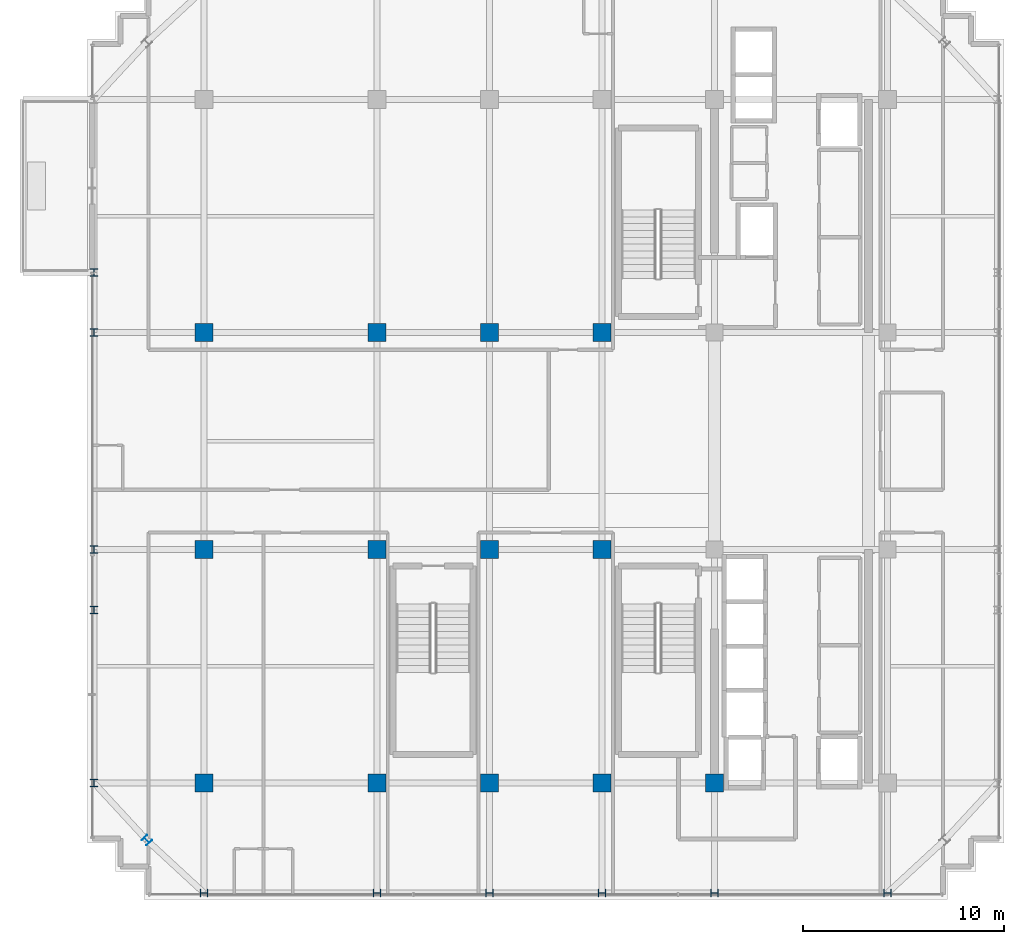
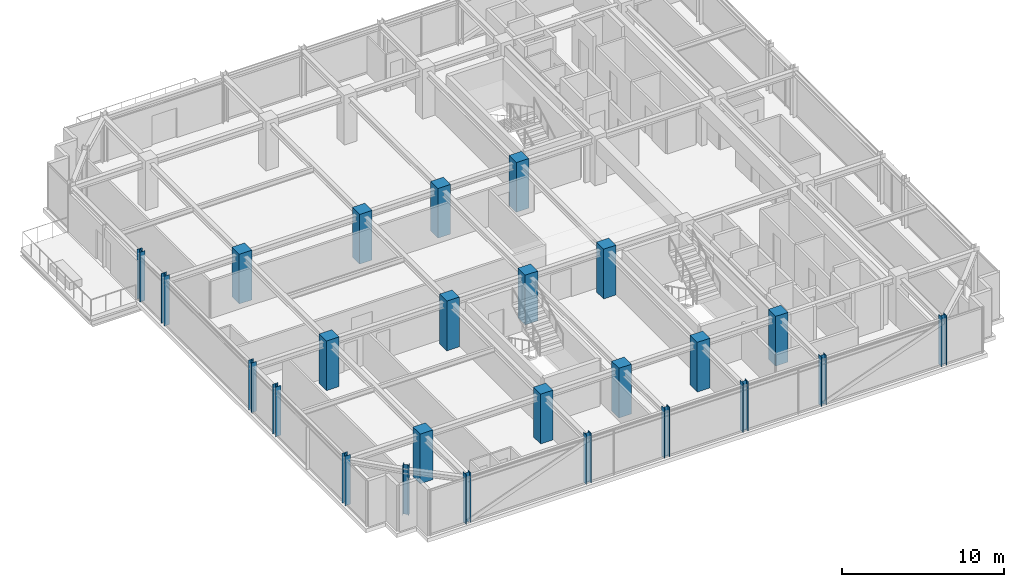
# One storey, part 1 of 34: 25 columns.
"""IFC4 building model written with IfcOpenShell, lengths in metres."""

from ifc_helpers import new_model, si_unit, direction, frame, origin, origin_2d, place, context, subcontext, project, spatial, rectangle, i_section, extrude, source, transform, mapped, material, material_profile, profile_set, type_object, element, save


model = new_model("IFC4")

# Units and contexts
model_context = context("Model", 3, precision=1e-05, world=origin(), true_north=direction((0.0, 1.0)))
body_context = subcontext(model_context, "Body", "Model", "MODEL_VIEW")
ifc_project = project(units=[si_unit("LENGTHUNIT", "METRE"), si_unit("AREAUNIT", "SQUARE_METRE"), si_unit("VOLUMEUNIT", "CUBIC_METRE"), si_unit("PLANEANGLEUNIT", "RADIAN"), si_unit("MASSUNIT", "GRAM", prefix="KILO")], contexts=[model_context])

# Site, building, storey
site_placement = place(None, origin())
site = spatial("IfcSite", under=ifc_project, at=site_placement, CompositionType="ELEMENT")
building_placement = place(site_placement, origin())
building = spatial("IfcBuilding", under=site, at=building_placement, Name="Nahalor Promenade Grand Hotel", CompositionType="ELEMENT")
storey_placement = place(building_placement, frame((0.0, 0.0, 334.75)))
storey = spatial("IfcBuildingStorey", under=building, at=storey_placement, Name="L86", CompositionType="ELEMENT", Elevation=334.75)

# Columns
ifc_material_1 = material(Name="Concrete B-50 (C40/50)", Category="concrete")
ifc_material_profile_1 = material_profile(ifc_material_1, rectangle(XDim=0.9, YDim=0.9, at=origin_2d()), Name="RC 900x900")
ifc_profile_set_1 = profile_set([ifc_material_profile_1], Name="Concrete B-50 (C40/50)")
column_type_1 = type_object("IfcColumnType", Name="Col-RC-900", PredefinedType="COLUMN", material=ifc_profile_set_1)
shared_shape_1 = source(origin(), body_context, "Body", "SweptSolid", [
    extrude(rectangle(XDim=0.9, YDim=0.9, at=origin_2d()), origin(), (0.0, 0.0, 1.0), 3.7548828125),
])
for number, where, z_axis, x_axis, name in (
    (1, (-17.0, -17.0, 0.0), (0.0, 0.0, 1.0), (1.0, 0.0, 0.0), "COL-L86-I00"),
    (2, (-17.0, -5.39990234375, 0.0), (0.0, 0.0, 1.0), (1.0, 0.0, 0.0), "COL-L86-I01"),
    (3, (-17.0, 5.39990234375, 0.0), (0.0, 0.0, 1.0), (1.0, 0.0, 0.0), "COL-L86-I02"),
    (4, (-8.39990234375, -17.0, 0.0), (0.0, 0.0, 1.0), (1.0, 0.0, 0.0), "COL-L86-I10"),
    (5, (-8.39990234375, -5.39990234375, 0.0), (0.0, 0.0, 1.0), (1.0, 0.0, 0.0), "COL-L86-I11"),
    (6, (-8.39990234375, 5.39990234375, 0.0), (0.0, 0.0, 1.0), (1.0, 0.0, 0.0), "COL-L86-I12"),
    (7, (-2.800048828125, -17.0, 0.0), (0.0, 0.0, 1.0), (1.0, 0.0, 0.0), "COL-L86-I20"),
    (8, (-2.800048828125, -5.39990234375, 0.0), (0.0, 0.0, 1.0), (1.0, 0.0, 0.0), "COL-L86-I21"),
    (9, (-2.800048828125, 5.39990234375, 0.0), (0.0, 0.0, 1.0), (1.0, 0.0, 0.0), "COL-L86-I22"),
    (10, (2.800048828125, -17.0, 0.0), (0.0, 0.0, 1.0), (1.0, 0.0, 0.0), "COL-L86-I30"),
    (11, (2.800048828125, -5.39990234375, 0.0), (0.0, 0.0, 1.0), (1.0, 0.0, 0.0), "COL-L86-I31"),
    (12, (2.800048828125, 5.39990234375, 0.0), (0.0, 0.0, 1.0), (1.0, 0.0, 0.0), "COL-L86-I32"),
    (13, (8.39990234375, -17.0, 0.0), (0.0, 0.0, 1.0), (1.0, 0.0, 0.0), "COL-L86-I40"),
):
    element("IfcColumn", number, at=place(storey_placement, frame(where, z_axis=z_axis, x_axis=x_axis)), inside=storey, type_object=column_type_1, Name=name, PredefinedType="COLUMN", context=body_context, shape_type="MappedRepresentation", body=[
        mapped(shared_shape_1, transform((0.0, 0.0, 0.0), scale=1.0)),
    ])
ifc_material_2 = material(Name="Steel S355JR", Category="steel")
ifc_material_profile_2 = material_profile(ifc_material_2, i_section(OverallWidth=0.374, OverallDepth=0.374, WebThickness=0.0144, FlangeThickness=0.0229, at=origin_2d()), Name="HD 360x262")
ifc_profile_set_2 = profile_set([ifc_material_profile_2], Name="Steel S355JR")
column_type_2 = type_object("IfcColumnType", Name="Col-Steel-HD262", PredefinedType="COLUMN", material=ifc_profile_set_2)
shared_shape_2 = source(origin(), body_context, "Body", "SweptSolid", [
    extrude(i_section(OverallWidth=0.374, OverallDepth=0.374, WebThickness=0.0144, FlangeThickness=0.0229, at=origin_2d()), origin(), (0.0, 0.0, 1.0), 3.7548828125),
])
for number, where, z_axis, x_axis, name in (
    (14, (-22.47998046875, -17.0, 0.0), (0.0, 0.0, 1.0), (1.0, 0.0, 0.0), "COL-L86-PW-W0"),
    (15, (-22.47998046875, -8.39990234375, 0.0), (0.0, 0.0, 1.0), (1.0, 0.0, 0.0), "COL-L86-PW-W1"),
    (16, (-22.47998046875, -5.39990234375, 0.0), (0.0, 0.0, 1.0), (1.0, 0.0, 0.0), "COL-L86-PW-W2"),
    (17, (-22.47998046875, 5.39990234375, 0.0), (0.0, 0.0, 1.0), (1.0, 0.0, 0.0), "COL-L86-PW-W3"),
    (18, (-22.47998046875, 8.39990234375, 0.0), (0.0, 0.0, 1.0), (1.0, 0.0, 0.0), "COL-L86-PW-W4"),
    (19, (-17.0, -22.47998046875, 0.0), (0.0, 0.0, 1.0), (0.0, 1.0, 0.0), "COL-L86-PN-S0"),
    (20, (-8.39990234375, -22.47998046875, 0.0), (0.0, 0.0, 1.0), (0.0, 1.0, 0.0), "COL-L86-PN-S1"),
    (21, (-2.800048828125, -22.47998046875, 0.0), (0.0, 0.0, 1.0), (0.0, 1.0, 0.0), "COL-L86-PN-S2"),
    (22, (2.800048828125, -22.47998046875, 0.0), (0.0, 0.0, 1.0), (0.0, 1.0, 0.0), "COL-L86-PN-S3"),
    (23, (8.39990234375, -22.47998046875, 0.0), (0.0, 0.0, 1.0), (0.0, 1.0, 0.0), "COL-L86-PN-S4"),
    (24, (17.0, -22.47998046875, 0.0), (0.0, 0.0, 1.0), (0.0, 1.0, 0.0), "COL-L86-PN-S5"),
    (25, (-19.85009765625, -19.85009765625, 0.0), (0.0, 0.0, 1.0), (0.707106781187, 0.707106781187, 0.0), "COL-L86-CRN-SW"),
):
    element("IfcColumn", number, at=place(storey_placement, frame(where, z_axis=z_axis, x_axis=x_axis)), inside=storey, type_object=column_type_2, Name=name, PredefinedType="COLUMN", context=body_context, shape_type="MappedRepresentation", body=[
        mapped(shared_shape_2, transform((0.0, 0.0, 0.0), scale=1.0)),
    ])

save(model, "model.ifc")
